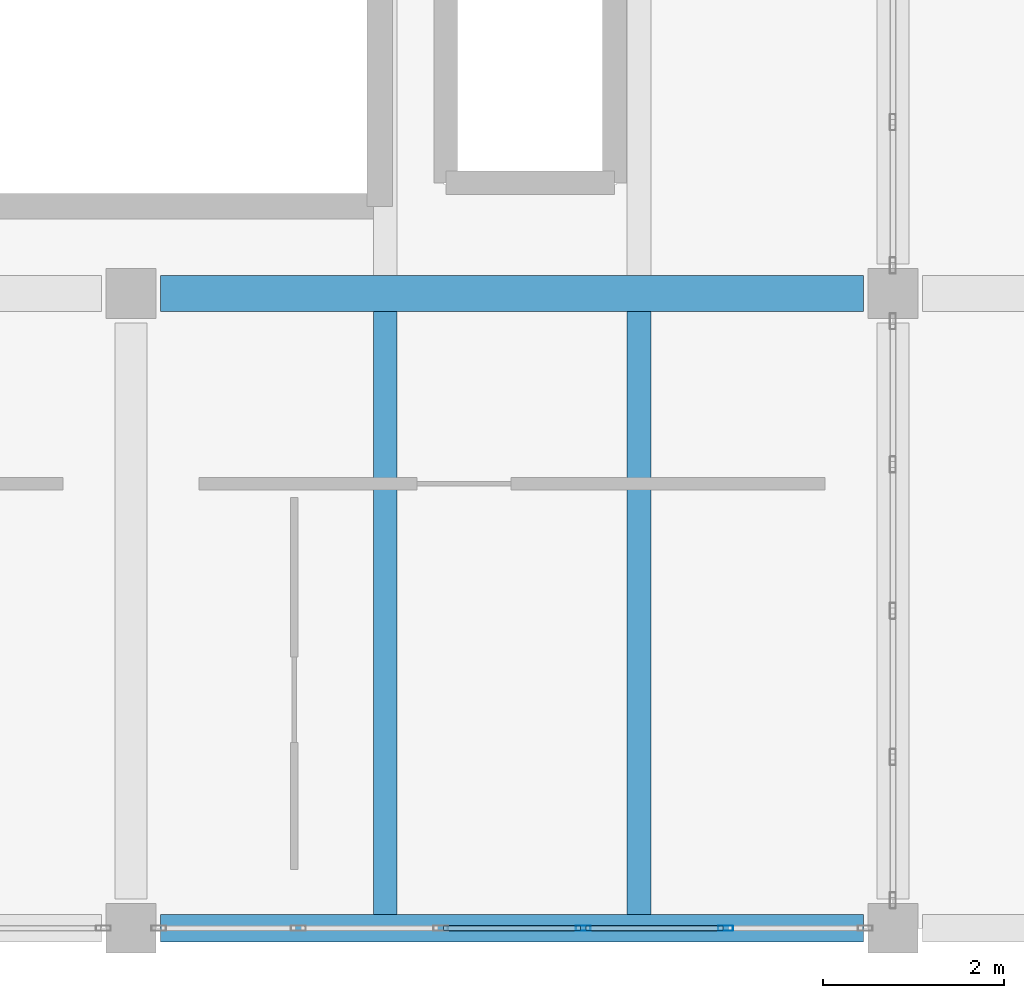
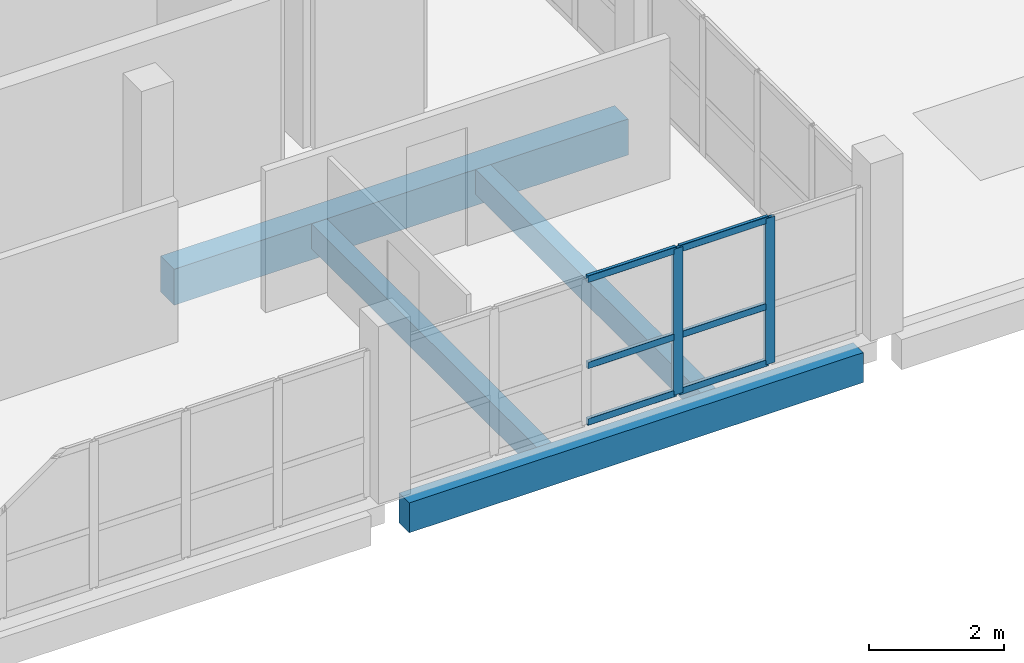
# One storey, part 7 of 24: 8 members, 4 beams, 1 element without a shape of its own.
"""IFC4 building model written with IfcOpenShell, lengths in metres."""

from ifc_helpers import new_model, si_unit, direction, frame, origin, origin_2d, place, context, subcontext, project, spatial, rectangle, hollow_rectangle, extrude, material, layer, layer_set, material_profile, profile_set, type_object, element, aggregate, save


model = new_model("IFC4")

# Units and contexts
model_context = context("Model", 3, precision=1e-05, world=origin(), true_north=direction((0.0, 1.0)))
body_context = subcontext(model_context, "Body", "Model", "MODEL_VIEW")
ifc_project = project(units=[si_unit("LENGTHUNIT", "METRE"), si_unit("AREAUNIT", "SQUARE_METRE"), si_unit("VOLUMEUNIT", "CUBIC_METRE"), si_unit("PLANEANGLEUNIT", "RADIAN"), si_unit("MASSUNIT", "GRAM", prefix="KILO"), si_unit("THERMODYNAMICTEMPERATUREUNIT", "KELVIN"), si_unit("POWERUNIT", "WATT")], contexts=[model_context])

# Site, building, storey
site_placement = place(None, origin())
site = spatial("IfcSite", under=ifc_project, at=site_placement, CompositionType="ELEMENT")
building_placement = place(site_placement, origin())
building = spatial("IfcBuilding", under=site, at=building_placement, Name="Mavoryth Pier Ferry Terminal", CompositionType="ELEMENT")
storey_placement = place(building_placement, frame((0.0, 0.0, 16.320068359375)))
storey = spatial("IfcBuildingStorey", under=building, at=storey_placement, Name="L04", CompositionType="ELEMENT", Elevation=16.320068359375)

# Beams
ifc_material_1 = material(Name="Concrete C35/45", Category="concrete")
ifc_material_profile_1 = material_profile(ifc_material_1, rectangle(XDim=0.39990234375, YDim=0.64990234375, at=origin_2d()), Name="RC 400x650", Category="concrete")
ifc_profile_set_1 = profile_set([ifc_material_profile_1], Name="Concrete C35/45 - RC 400x650")
beam_type_1 = type_object("IfcBeamType", Name="Girder-RC-400x650", PredefinedType="BEAM", material=ifc_profile_set_1)
beam_1_placement = place(storey_placement, frame((67.52490234375, 7.0, -0.5849609375), z_axis=(1.0, 0.0, 0.0), x_axis=(0.0, 1.0, 0.0)))
element("IfcBeam", 1, at=beam_1_placement, inside=storey, type_object=beam_type_1, Name="Beam B04-BG05-1465", PredefinedType="BEAM", context=body_context, shape_type="SweptSolid", body=[
    extrude(rectangle(XDim=0.39990234375, YDim=0.64990234375, at=origin_2d()), origin(), (0.0, 0.0, 1.0), 7.75),
])
ifc_material_profile_2 = material_profile(ifc_material_1, rectangle(XDim=0.260009765625, YDim=0.449951171875, at=origin_2d()), Name="RC 260x450", Category="concrete")
ifc_profile_set_2 = profile_set([ifc_material_profile_2], Name="Concrete C35/45 - RC 260x450")
beam_type_2 = type_object("IfcBeamType", Name="Joist-RC-260x450", PredefinedType="JOIST", material=ifc_profile_set_2)
for number, where, z_axis, x_axis, name in (
    (2, (70.0, 0.14990234375, -0.485107421875), (0.0, 1.0, 0.0), (-1.0, 0.0, 0.0), "Beam B04-BJ03-1506"),
    (3, (72.800048828125, 0.14990234375, -0.485107421875), (0.0, 1.0, 0.0), (-1.0, 0.0, 0.0), "Beam B04-BJ03-1507"),
):
    element("IfcBeam", number, at=place(storey_placement, frame(where, z_axis=z_axis, x_axis=x_axis)), inside=storey, type_object=beam_type_2, Name=name, PredefinedType="JOIST", context=body_context, shape_type="SweptSolid", body=[
        extrude(rectangle(XDim=0.260009765625, YDim=0.449951171875, at=origin_2d()), origin(), (0.0, 0.0, 1.0), 6.650146484375),
    ])

# Curtain wall, members
ifc_material_2 = material(Name="Anodised Aluminium and Solar-Control Low-E Glass", Category="aluminium")
ifc_layer = layer(ifc_material_2, 0.260009765625, Name="Anodised Aluminium and Solar-Control Low-E Glass", Category="aluminium")
ifc_layer_set = layer_set([ifc_layer], Name="Anodised Aluminium and Solar-Control Low-E Glass - CW-VTSBridge-Mod1500")
curtain_wall_type = type_object("IfcCurtainWallType", Name="CW-VTSBridge-Mod1500", PredefinedType="USERDEFINED", material=ifc_layer_set)
curtain_wall_placement = place(storey_placement, origin())
curtain_wall = element("IfcCurtainWall", 4, at=curtain_wall_placement, inside=storey, type_object=curtain_wall_type, Name="Curtain Wall CW-0422-155", ObjectType="UNITISED CURTAIN WALL", PredefinedType="USERDEFINED")
ifc_material_3 = material(Name="Anodised Aluminium EN AW-6063", Category="aluminium")
ifc_material_profile_3 = material_profile(ifc_material_3, hollow_rectangle(XDim=0.06005859375, YDim=0.1650390625, WallThickness=0.00390625, InnerFilletRadius=0.00390625, OuterFilletRadius=0.008056640625, at=origin_2d()), Name="AL-MULL 165x60x4", Category="aluminium")
ifc_profile_set_3 = profile_set([ifc_material_profile_3], Name="Anodised Aluminium EN AW-6063 - AL-MULL 165x60x4")
member_type_1 = type_object("IfcMemberType", Name="Mullion-Alum-165x60", PredefinedType="MULLION", material=ifc_profile_set_3)
member_1_placement = place(storey_placement, frame((72.18505859375, 0.0, 0.0), z_axis=(0.0, 0.0, 1.0), x_axis=(0.0, 1.0, 0.0)))
member_1 = element("IfcMember", 5, at=member_1_placement, type_object=member_type_1, Name="CW07 mullion 4", PredefinedType="MULLION", context=body_context, shape_type="SweptSolid", body=[
    extrude(hollow_rectangle(XDim=0.06005859375, YDim=0.1650390625, WallThickness=0.00390625, InnerFilletRadius=0.00390625, OuterFilletRadius=0.008056640625, at=origin_2d()), origin(), (0.0, 0.0, 1.0), 2.635009765625),
])
member_2_placement = place(storey_placement, frame((73.7548828125, 0.0, 0.0), z_axis=(0.0, 0.0, 1.0), x_axis=(0.0, 1.0, 0.0)))
member_2 = element("IfcMember", 6, at=member_2_placement, type_object=member_type_1, Name="CW07 mullion 5", PredefinedType="MULLION", context=body_context, shape_type="SweptSolid", body=[
    extrude(hollow_rectangle(XDim=0.06005859375, YDim=0.1650390625, WallThickness=0.00390625, InnerFilletRadius=0.00390625, OuterFilletRadius=0.008056640625, at=origin_2d()), origin(), (0.0, 0.0, 1.0), 2.635009765625),
])

# Beam
ifc_material_profile_4 = material_profile(ifc_material_1, rectangle(XDim=0.300048828125, YDim=0.5400390625, at=origin_2d()), Name="RC 300x540", Category="concrete")
ifc_profile_set_4 = profile_set([ifc_material_profile_4], Name="Concrete C35/45 - RC 300x540")
beam_type_3 = type_object("IfcBeamType", Name="Spandrel-RC-300x540", PredefinedType="SPANDREL", material=ifc_profile_set_4)
beam_2_placement = place(storey_placement, frame((67.52490234375, 0.0, -0.530029296875), z_axis=(1.0, 0.0, 0.0), x_axis=(0.0, 1.0, 0.0)))
element("IfcBeam", 7, at=beam_2_placement, inside=storey, type_object=beam_type_3, Name="Beam B04-SP02-1460", PredefinedType="SPANDREL", context=body_context, shape_type="SweptSolid", body=[
    extrude(rectangle(XDim=0.300048828125, YDim=0.5400390625, at=origin_2d()), origin(), (0.0, 0.0, 1.0), 7.75),
])

# Member
ifc_material_profile_5 = material_profile(ifc_material_3, hollow_rectangle(XDim=0.06005859375, YDim=0.125, WallThickness=0.00390625, InnerFilletRadius=0.00390625, OuterFilletRadius=0.008056640625, at=origin_2d()), Name="AL-TRAN 125x60x4", Category="aluminium")
ifc_profile_set_5 = profile_set([ifc_material_profile_5], Name="Anodised Aluminium EN AW-6063 - AL-TRAN 125x60x4")
member_type_2 = type_object("IfcMemberType", Name="Transom-Alum-125x60", PredefinedType="USERDEFINED", material=ifc_profile_set_5)
member_3_placement = place(storey_placement, frame((70.64501953125, 0.0, 0.030029296875), z_axis=(1.0, 0.0, 0.0), x_axis=(0.0, 1.0, 0.0)))
member_3 = element("IfcMember", 8, at=member_3_placement, type_object=member_type_2, Name="CW07 transom 3.1", ObjectType="TRANSOM", PredefinedType="USERDEFINED", context=body_context, shape_type="SweptSolid", body=[
    extrude(hollow_rectangle(XDim=0.06005859375, YDim=0.125, WallThickness=0.00390625, InnerFilletRadius=0.00390625, OuterFilletRadius=0.008056640625, at=origin_2d()), origin(), (0.0, 0.0, 1.0), 1.510009765625),
])

member_4_placement = place(storey_placement, frame((70.64501953125, 0.0, 1.050048828125), z_axis=(1.0, 0.0, 0.0), x_axis=(0.0, 1.0, 0.0)))
member_4 = element("IfcMember", 9, at=member_4_placement, type_object=member_type_2, Name="CW07 transom 3.2", ObjectType="TRANSOM", PredefinedType="USERDEFINED", context=body_context, shape_type="SweptSolid", body=[
    extrude(hollow_rectangle(XDim=0.06005859375, YDim=0.125, WallThickness=0.00390625, InnerFilletRadius=0.00390625, OuterFilletRadius=0.008056640625, at=origin_2d()), origin(), (0.0, 0.0, 1.0), 1.510009765625),
])

member_5_placement = place(storey_placement, frame((70.64501953125, 0.0, 2.60498046875), z_axis=(1.0, 0.0, 0.0), x_axis=(0.0, 1.0, 0.0)))
member_5 = element("IfcMember", 10, at=member_5_placement, type_object=member_type_2, Name="CW07 transom 3.3", ObjectType="TRANSOM", PredefinedType="USERDEFINED", context=body_context, shape_type="SweptSolid", body=[
    extrude(hollow_rectangle(XDim=0.06005859375, YDim=0.125, WallThickness=0.00390625, InnerFilletRadius=0.00390625, OuterFilletRadius=0.008056640625, at=origin_2d()), origin(), (0.0, 0.0, 1.0), 1.510009765625),
])

member_6_placement = place(storey_placement, frame((72.215087890625, 0.0, 0.030029296875), z_axis=(1.0, 0.0, 0.0), x_axis=(0.0, 1.0, 0.0)))
member_6 = element("IfcMember", 11, at=member_6_placement, type_object=member_type_2, Name="CW07 transom 4.1", ObjectType="TRANSOM", PredefinedType="USERDEFINED", context=body_context, shape_type="SweptSolid", body=[
    extrude(hollow_rectangle(XDim=0.06005859375, YDim=0.125, WallThickness=0.00390625, InnerFilletRadius=0.00390625, OuterFilletRadius=0.008056640625, at=origin_2d()), origin(), (0.0, 0.0, 1.0), 1.510009765625),
])

member_7_placement = place(storey_placement, frame((72.215087890625, 0.0, 1.050048828125), z_axis=(1.0, 0.0, 0.0), x_axis=(0.0, 1.0, 0.0)))
member_7 = element("IfcMember", 12, at=member_7_placement, type_object=member_type_2, Name="CW07 transom 4.2", ObjectType="TRANSOM", PredefinedType="USERDEFINED", context=body_context, shape_type="SweptSolid", body=[
    extrude(hollow_rectangle(XDim=0.06005859375, YDim=0.125, WallThickness=0.00390625, InnerFilletRadius=0.00390625, OuterFilletRadius=0.008056640625, at=origin_2d()), origin(), (0.0, 0.0, 1.0), 1.510009765625),
])

member_8_placement = place(storey_placement, frame((72.215087890625, 0.0, 2.60498046875), z_axis=(1.0, 0.0, 0.0), x_axis=(0.0, 1.0, 0.0)))
member_8 = element("IfcMember", 13, at=member_8_placement, type_object=member_type_2, Name="CW07 transom 4.3", ObjectType="TRANSOM", PredefinedType="USERDEFINED", context=body_context, shape_type="SweptSolid", body=[
    extrude(hollow_rectangle(XDim=0.06005859375, YDim=0.125, WallThickness=0.00390625, InnerFilletRadius=0.00390625, OuterFilletRadius=0.008056640625, at=origin_2d()), origin(), (0.0, 0.0, 1.0), 1.510009765625),
])

aggregate(curtain_wall, [member_1, member_2, member_3, member_4, member_5, member_6, member_7, member_8])

save(model, "model.ifc")
